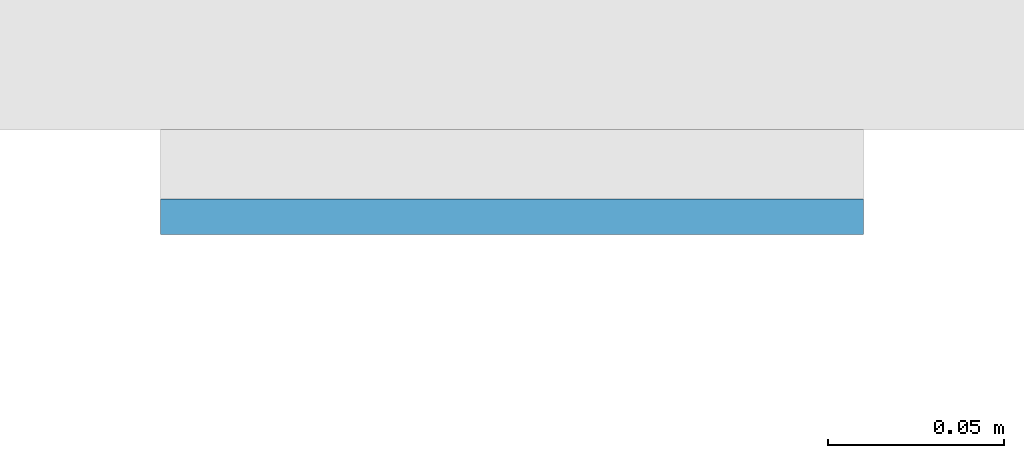
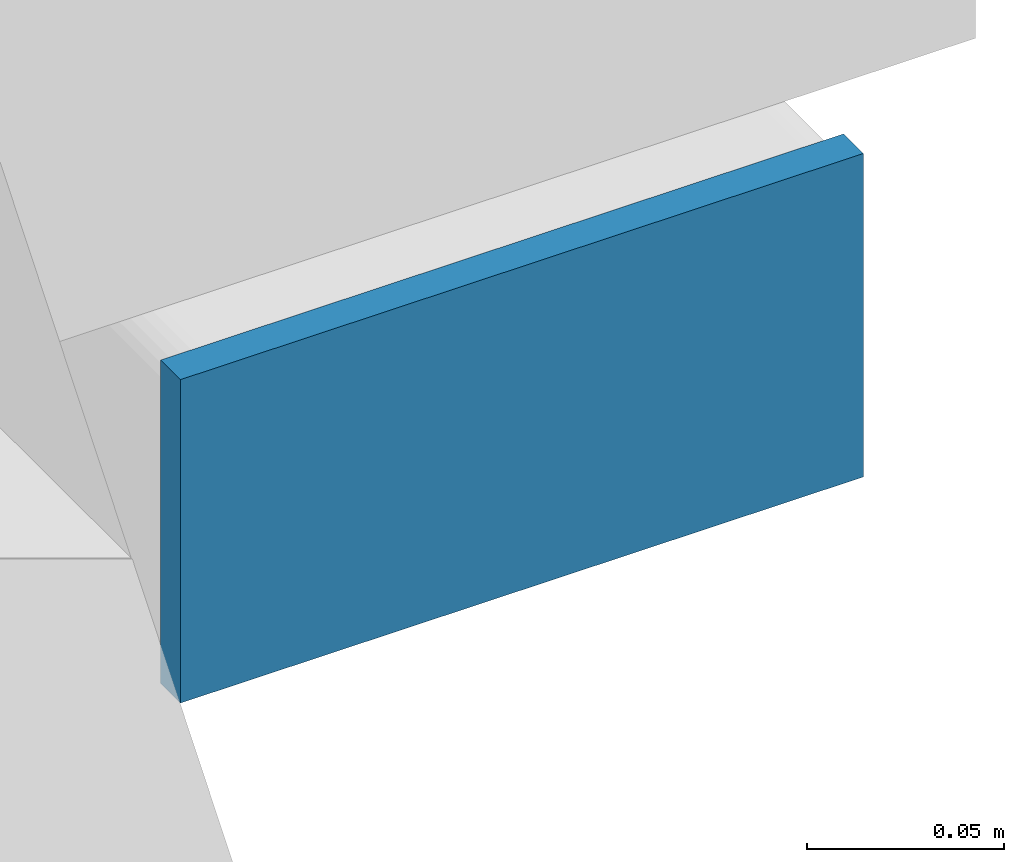
# One storey, part 5 of 12: 1 plate.
"""IFC4 building model written with IfcOpenShell, lengths in metres."""

from ifc_helpers import new_model, si_unit, direction, frame, origin, origin_2d, place, context, subcontext, project, spatial, rectangle, extrude, material, layer, layer_set, type_object, element, save


model = new_model("IFC4")

# Units and contexts
model_context = context("Model", 3, precision=1e-05, world=origin(), true_north=direction((0.0, 1.0)))
body_context = subcontext(model_context, "Body", "Model", "MODEL_VIEW")
ifc_project = project(units=[si_unit("LENGTHUNIT", "METRE"), si_unit("AREAUNIT", "SQUARE_METRE"), si_unit("VOLUMEUNIT", "CUBIC_METRE"), si_unit("PLANEANGLEUNIT", "RADIAN"), si_unit("MASSUNIT", "GRAM", prefix="KILO")], contexts=[model_context])

# Site, building, storey
site_placement = place(None, origin())
site = spatial("IfcSite", under=ifc_project, at=site_placement, CompositionType="ELEMENT")
building_placement = place(site_placement, origin())
building = spatial("IfcBuilding", under=site, at=building_placement, Name="Cleftline Residences", CompositionType="ELEMENT")
storey_placement = place(building_placement, frame((0.0, 0.0, 282.60009765625)))
storey = spatial("IfcBuildingStorey", under=building, at=storey_placement, Name="L74", CompositionType="ELEMENT", Elevation=282.60009765625)

# Plate
ifc_material = material(Name="Steel S355, hot-dip galvanised", Category="steel")
ifc_layer = layer(ifc_material, 0.010009765625)
ifc_layer_set = layer_set([ifc_layer], Name="BAGUETTE CARRIER END PLATE 200X100X10")
plate_type = type_object("IfcPlateType", Name="BAGUETTE CARRIER END PLATE 200X100X10", PredefinedType="USERDEFINED", material=ifc_layer_set)
plate_placement = place(storey_placement, frame((66.85009765625, 3.695068359375, -0.10009765625), z_axis=(0.0, 0.0, 1.0), x_axis=(1.0, 0.0, 0.0)))
element("IfcPlate", 1, at=plate_placement, inside=storey, type_object=plate_type, Name="Baguette carrier end plate", ObjectType="BAGUETTE CARRIER END PLATE", PredefinedType="USERDEFINED", context=body_context, shape_type="SweptSolid", body=[
    extrude(rectangle(XDim=0.199951171875, YDim=0.010009765625, at=origin_2d()), origin(), (0.0, 0.0, 1.0), 0.10009765625),
])

save(model, "model.ifc")
